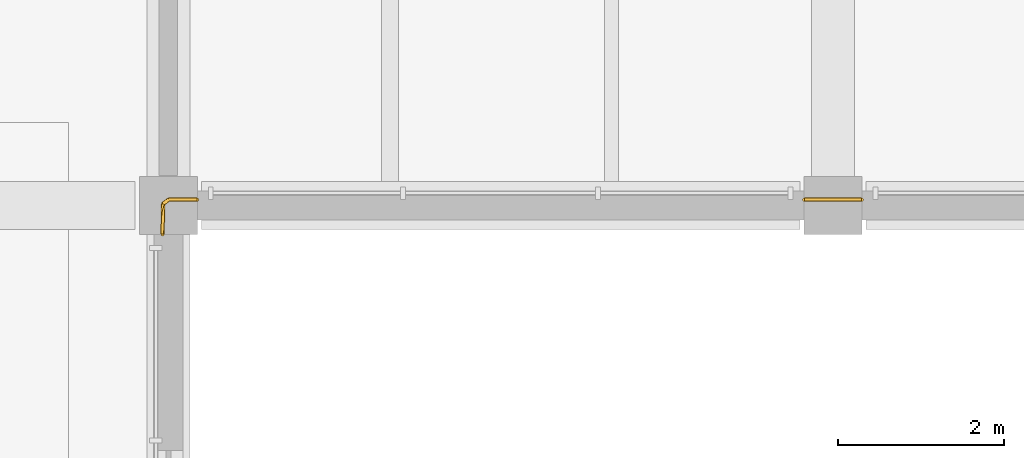
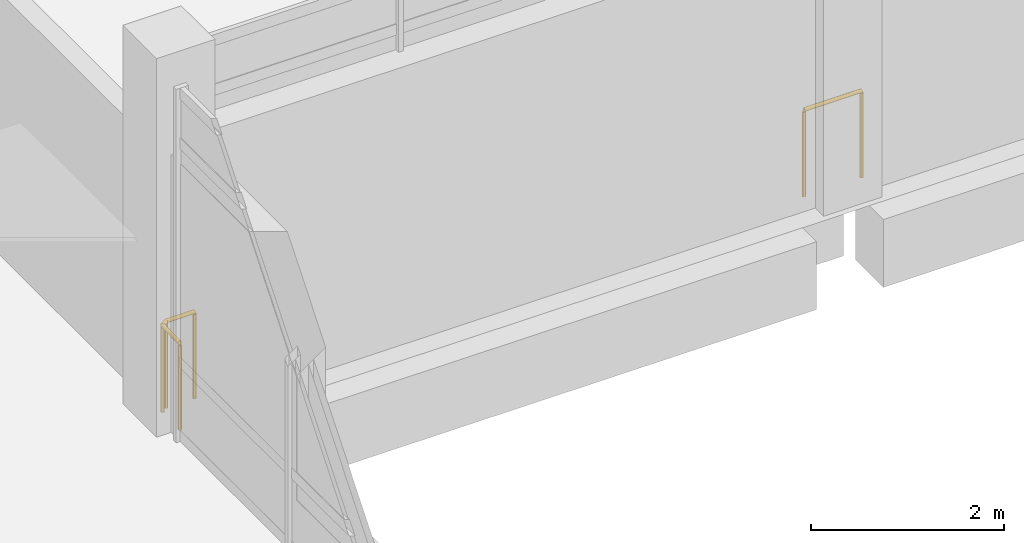
# One storey, part 52 of 52: 2 railings.
"""IFC4 building model written with IfcOpenShell, lengths in metres."""

from ifc_helpers import new_model, si_unit, direction, frame, origin, origin_2d, place, context, subcontext, project, spatial, circle, extrude, material, type_object, element, save


model = new_model("IFC4")

# Units and contexts
model_context = context("Model", 3, precision=1e-05, world=origin(), true_north=direction((0.0, 1.0)))
body_context = subcontext(model_context, "Body", "Model", "MODEL_VIEW")
ifc_project = project(units=[si_unit("LENGTHUNIT", "METRE"), si_unit("AREAUNIT", "SQUARE_METRE"), si_unit("VOLUMEUNIT", "CUBIC_METRE"), si_unit("PLANEANGLEUNIT", "RADIAN"), si_unit("MASSUNIT", "GRAM", prefix="KILO")], contexts=[model_context])

# Site, building, storey
site_placement = place(None, origin())
site = spatial("IfcSite", under=ifc_project, at=site_placement, CompositionType="ELEMENT")
building_placement = place(site_placement, origin())
building = spatial("IfcBuilding", under=site, at=building_placement, Name="Pecanmere Concourse Central Library", CompositionType="ELEMENT")
storey_placement = place(building_placement, frame((0.0, 0.0, 10.5)))
storey = spatial("IfcBuildingStorey", under=building, at=storey_placement, Name="L03", CompositionType="ELEMENT", Elevation=10.5)

# Railings
ifc_material = material(Name="Architectural anodized bronze")
railing_type = type_object("IfcRailingType", Name="RAIL_ATRIUM_BAL", PredefinedType="BALUSTRADE", material=ifc_material)
railing_1_placement = place(storey_placement, frame((136.344970703125, 90.070068359375, 0.0)))
element("IfcRailing", 1, at=railing_1_placement, inside=storey, type_object=railing_type, Name="Deck Edge Protective Balustrade L03-121", PredefinedType="BALUSTRADE", context=body_context, shape_type="SweptSolid", body=[
    extrude(circle(Radius=0.02392578125, at=origin_2d()), frame((0.0, 0.0, 1.09619140625), z_axis=(-1.0, 0.0, 0.0), x_axis=(0.0, -1.0, 0.0)), (0.0, 0.0, 1.0), 0.68994140625),
    extrude(circle(Radius=0.02099609375, at=origin_2d()), origin(), (0.0, 0.0, 1.0), 1.072021484375),
    extrude(circle(Radius=0.02099609375, at=origin_2d()), frame((-0.68994140625, 0.0, 0.0)), (0.0, 0.0, 1.0), 1.072021484375),
])
railing_2_placement = place(storey_placement, frame((128.344970703125, 90.070068359375, 0.0)))
element("IfcRailing", 2, at=railing_2_placement, inside=storey, type_object=railing_type, Name="Deck Edge Protective Balustrade L03-122", PredefinedType="BALUSTRADE", context=body_context, shape_type="SweptSolid", body=[
    extrude(circle(Radius=0.02392578125, at=origin_2d()), frame((0.0, 0.0, 1.09619140625), z_axis=(-0.999998979593, -0.001428569971, 0.0), x_axis=(0.001428569971, -0.999998979593, 0.0)), (0.0, 0.0, 1.0), 0.341796875),
    extrude(circle(Radius=0.02392578125, at=origin_2d()), frame((-0.341796875, -0.00048828125, 1.09619140625), z_axis=(-0.806311430369, -0.591491231767, 0.0), x_axis=(0.591491231767, -0.806311430369, 0.0)), (0.0, 0.0, 1.0), 0.0830078125),
    extrude(circle(Radius=0.02392578125, at=origin_2d()), frame((-0.40869140625, -0.049560546875, 1.09619140625), z_axis=(-0.017365450527, -0.999849209195, 0.0), x_axis=(0.999849209195, -0.017365450527, 0.0)), (0.0, 0.0, 1.0), 0.365478515625),
    extrude(circle(Radius=0.02099609375, at=origin_2d()), origin(), (0.0, 0.0, 1.0), 1.072021484375),
    extrude(circle(Radius=0.02099609375, at=origin_2d()), frame((-0.341796875, -0.00048828125, 0.0)), (0.0, 0.0, 1.0), 1.072021484375),
    extrude(circle(Radius=0.02099609375, at=origin_2d()), frame((-0.40869140625, -0.049560546875, 0.0)), (0.0, 0.0, 1.0), 1.072021484375),
    extrude(circle(Radius=0.02099609375, at=origin_2d()), frame((-0.4150390625, -0.4150390625, 0.0)), (0.0, 0.0, 1.0), 1.072021484375),
])

save(model, "model.ifc")
